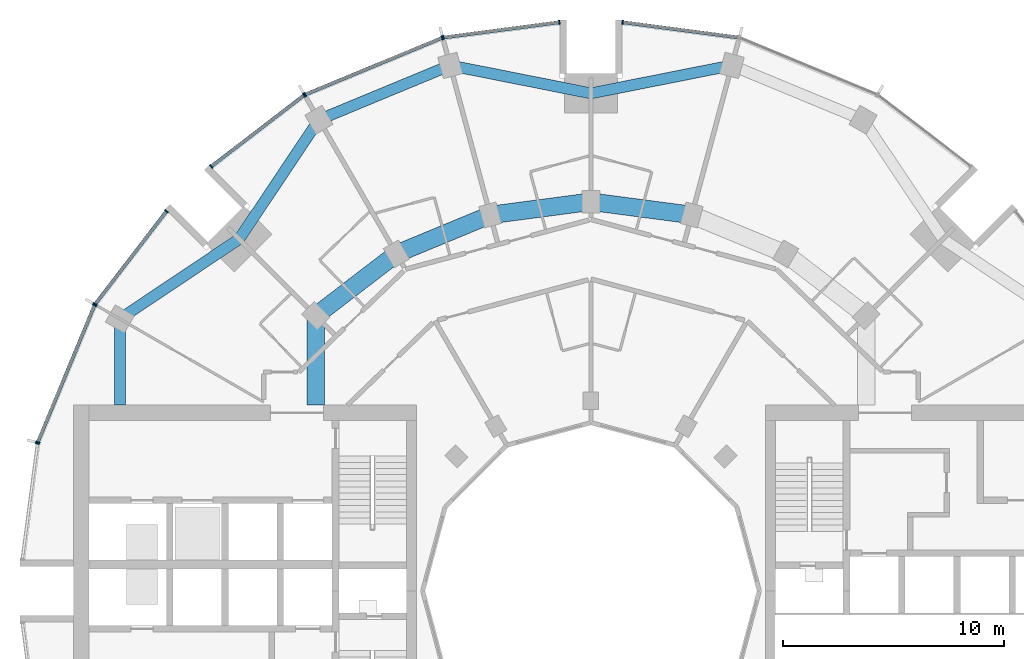
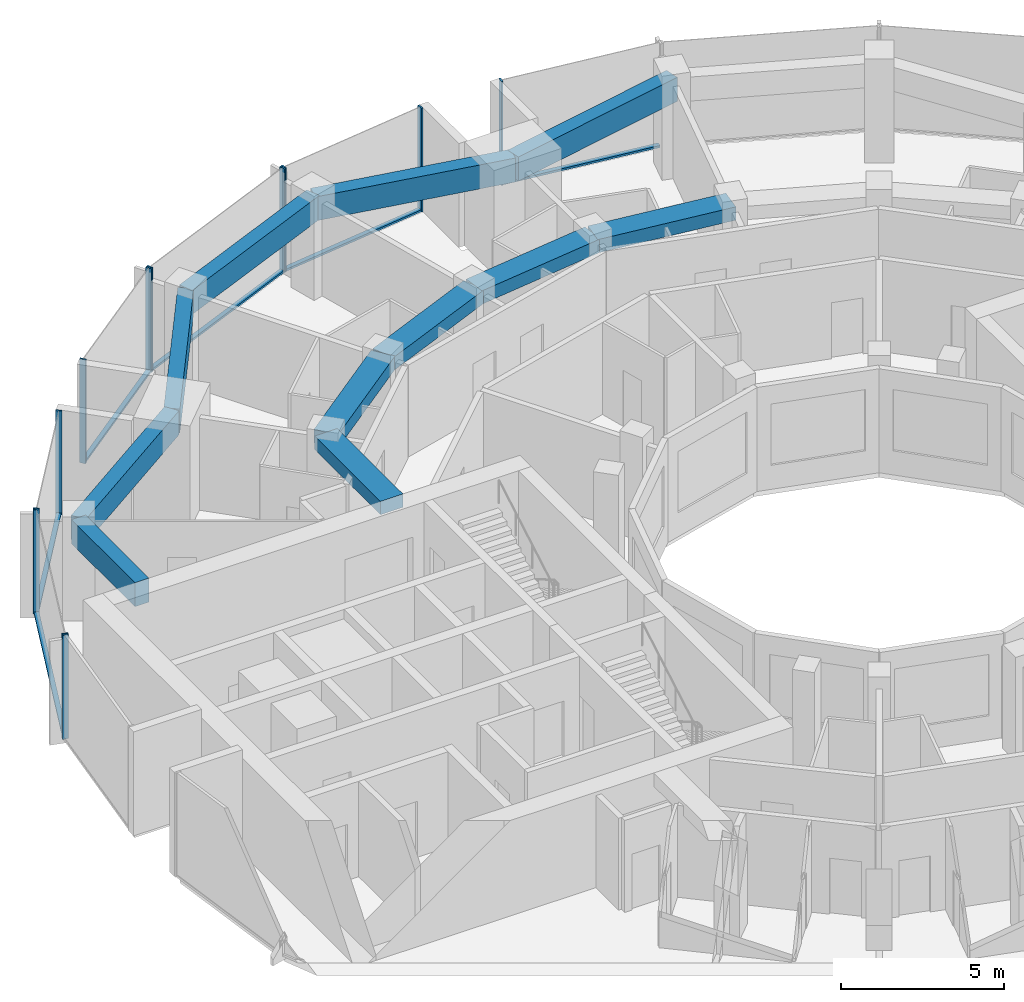
# One storey, part 5 of 15: 18 members, 11 beams, 7 elements without a shape of their own.
"""IFC4 building model written with IfcOpenShell, lengths in metres."""

from ifc_helpers import new_model, si_unit, direction, frame, origin, origin_2d, place, context, subcontext, project, spatial, rectangle, extrude, material, layer, layer_set, material_profile, profile_set, type_object, element, aggregate, save


model = new_model("IFC4")

# Units and contexts
model_context = context("Model", 3, precision=1e-05, world=origin(), true_north=direction((0.0, 1.0)))
body_context = subcontext(model_context, "Body", "Model", "MODEL_VIEW")
ifc_project = project(units=[si_unit("LENGTHUNIT", "METRE"), si_unit("AREAUNIT", "SQUARE_METRE"), si_unit("VOLUMEUNIT", "CUBIC_METRE"), si_unit("PLANEANGLEUNIT", "RADIAN"), si_unit("MASSUNIT", "GRAM", prefix="KILO")], contexts=[model_context])

# Site, building, storey
site_placement = place(None, origin())
site = spatial("IfcSite", under=ifc_project, at=site_placement, CompositionType="ELEMENT")
building_placement = place(site_placement, origin())
building = spatial("IfcBuilding", under=site, at=building_placement, Name="Torre Brocal", CompositionType="ELEMENT")
storey_placement = place(building_placement, frame((0.0, 0.0, 138.0)))
storey = spatial("IfcBuildingStorey", under=building, at=storey_placement, Name="L32", CompositionType="ELEMENT", Elevation=138.0)

# Curtain wall, member
ifc_material_1 = material(Name="Aluminium and glass", Category="aluminium")
ifc_layer_1 = layer(ifc_material_1, 0.199951171875)
ifc_layer_set_1 = layer_set([ifc_layer_1], Name="Aluminium and glass")
curtain_wall_type_1 = type_object("IfcCurtainWallType", Name="CW-1 CURTAIN WALL 3900 HIGH", PredefinedType="NOTDEFINED", material=ifc_layer_set_1)
curtain_wall_1_placement = place(storey_placement, origin())
curtain_wall_1 = element("IfcCurtainWall", 1, at=curtain_wall_1_placement, inside=storey, type_object=curtain_wall_type_1, Name="CW-1 RUN 6", PredefinedType="NOTDEFINED")
ifc_material_2 = material(Name="Aluminium, dark anodised", Category="aluminium")
ifc_material_profile_1 = material_profile(ifc_material_2, rectangle(XDim=0.199951171875, YDim=0.06005859375, at=origin_2d()), Name="CW-1 MULLION 60X200")
ifc_profile_set_1 = profile_set([ifc_material_profile_1], Name="Aluminium, dark anodised")
member_type_1 = type_object("IfcMemberType", Name="CW-1 MULLION 60X200", PredefinedType="MULLION", material=ifc_profile_set_1)
member_1_placement = place(storey_placement, frame((81.4296875, 100.7109375, 0.0), z_axis=(0.0, 0.0, 1.0), x_axis=(-0.13052619222, -0.991444861374, 0.0)))
member_1 = element("IfcMember", 2, at=member_1_placement, type_object=member_type_1, Name="CW1-3 mullion 2", PredefinedType="MULLION", context=body_context, shape_type="SweptSolid", body=[
    extrude(rectangle(XDim=0.199951171875, YDim=0.06005859375, at=origin_2d()), origin(), (0.0, 0.0, 1.0), 3.89990234375),
])

# Curtain wall, members
curtain_wall_2_placement = place(storey_placement, origin())
curtain_wall_2 = element("IfcCurtainWall", 3, at=curtain_wall_2_placement, inside=storey, type_object=curtain_wall_type_1, Name="CW-1 RUN 7", PredefinedType="NOTDEFINED")
member_2_placement = place(storey_placement, frame((78.5703125, 100.7109375, 0.0), z_axis=(0.0, 0.0, 1.0), x_axis=(0.13052619222, -0.991444861374, 0.0)))
member_2 = element("IfcMember", 4, at=member_2_placement, type_object=member_type_1, Name="CW1-3 mullion 1", PredefinedType="MULLION", context=body_context, shape_type="SweptSolid", body=[
    extrude(rectangle(XDim=0.199951171875, YDim=0.06005859375, at=origin_2d()), origin(), (0.0, 0.0, 1.0), 3.89990234375),
])
member_3_placement = place(storey_placement, frame((73.32666015625, 100.0205078125, 0.0), z_axis=(0.0, 0.0, 1.0), x_axis=(0.13052619222, -0.991444861374, 0.0)))
member_3 = element("IfcMember", 5, at=member_3_placement, type_object=member_type_1, Name="CW1-3 mullion 2", PredefinedType="MULLION", context=body_context, shape_type="SweptSolid", body=[
    extrude(rectangle(XDim=0.199951171875, YDim=0.06005859375, at=origin_2d()), origin(), (0.0, 0.0, 1.0), 3.89990234375),
])

curtain_wall_3_placement = place(storey_placement, origin())
curtain_wall_3 = element("IfcCurtainWall", 6, at=curtain_wall_3_placement, inside=storey, type_object=curtain_wall_type_1, Name="CW-1 RUN 8", PredefinedType="NOTDEFINED")
member_4_placement = place(storey_placement, frame((73.26904296875, 100.005126953125, 0.0), z_axis=(0.0, 0.0, 1.0), x_axis=(0.382683432333, -0.923879532525, 0.0)))
member_4 = element("IfcMember", 7, at=member_4_placement, type_object=member_type_1, Name="CW1-3 mullion 1", PredefinedType="MULLION", context=body_context, shape_type="SweptSolid", body=[
    extrude(rectangle(XDim=0.199951171875, YDim=0.06005859375, at=origin_2d()), origin(), (0.0, 0.0, 1.0), 3.89990234375),
])
member_5_placement = place(storey_placement, frame((67.078125, 97.440673828125, 0.0), z_axis=(0.0, 0.0, 1.0), x_axis=(0.382683432333, -0.923879532525, 0.0)))
member_5 = element("IfcMember", 8, at=member_5_placement, type_object=member_type_1, Name="CW1-3 mullion 2", PredefinedType="MULLION", context=body_context, shape_type="SweptSolid", body=[
    extrude(rectangle(XDim=0.199951171875, YDim=0.06005859375, at=origin_2d()), origin(), (0.0, 0.0, 1.0), 3.89990234375),
])

curtain_wall_4_placement = place(storey_placement, origin())
curtain_wall_4 = element("IfcCurtainWall", 9, at=curtain_wall_4_placement, inside=storey, type_object=curtain_wall_type_1, Name="CW-1 RUN 9", PredefinedType="NOTDEFINED")
member_6_placement = place(storey_placement, frame((67.026611328125, 97.4111328125, 0.0), z_axis=(0.0, 0.0, 1.0), x_axis=(0.60876142905, -0.793353340259, 0.0)))
member_6 = element("IfcMember", 10, at=member_6_placement, type_object=member_type_1, Name="CW1-3 mullion 1", PredefinedType="MULLION", context=body_context, shape_type="SweptSolid", body=[
    extrude(rectangle(XDim=0.199951171875, YDim=0.06005859375, at=origin_2d()), origin(), (0.0, 0.0, 1.0), 3.89990234375),
])
member_7_placement = place(storey_placement, frame((62.83056640625, 94.19140625, 0.0), z_axis=(0.0, 0.0, 1.0), x_axis=(0.60876142905, -0.793353340259, 0.0)))
member_7 = element("IfcMember", 11, at=member_7_placement, type_object=member_type_1, Name="CW1-3 mullion 2", PredefinedType="MULLION", context=body_context, shape_type="SweptSolid", body=[
    extrude(rectangle(XDim=0.199951171875, YDim=0.06005859375, at=origin_2d()), origin(), (0.0, 0.0, 1.0), 3.89990234375),
])

curtain_wall_5_placement = place(storey_placement, origin())
curtain_wall_5 = element("IfcCurtainWall", 12, at=curtain_wall_5_placement, inside=storey, type_object=curtain_wall_type_1, Name="CW-1 RUN 10", PredefinedType="NOTDEFINED")
member_8_placement = place(storey_placement, frame((60.80859375, 92.16943359375, 0.0), z_axis=(0.0, 0.0, 1.0), x_axis=(0.793353340259, -0.60876142905, 0.0)))
member_8 = element("IfcMember", 13, at=member_8_placement, type_object=member_type_1, Name="CW1-3 mullion 1", PredefinedType="MULLION", context=body_context, shape_type="SweptSolid", body=[
    extrude(rectangle(XDim=0.199951171875, YDim=0.06005859375, at=origin_2d()), origin(), (0.0, 0.0, 1.0), 3.89990234375),
])
member_9_placement = place(storey_placement, frame((57.5888671875, 87.973388671875, 0.0), z_axis=(0.0, 0.0, 1.0), x_axis=(0.793353340259, -0.60876142905, 0.0)))
member_9 = element("IfcMember", 14, at=member_9_placement, type_object=member_type_1, Name="CW1-3 mullion 2", PredefinedType="MULLION", context=body_context, shape_type="SweptSolid", body=[
    extrude(rectangle(XDim=0.199951171875, YDim=0.06005859375, at=origin_2d()), origin(), (0.0, 0.0, 1.0), 3.89990234375),
])

curtain_wall_6_placement = place(storey_placement, origin())
curtain_wall_6 = element("IfcCurtainWall", 15, at=curtain_wall_6_placement, inside=storey, type_object=curtain_wall_type_1, Name="CW-1 RUN 11", PredefinedType="NOTDEFINED")
member_10_placement = place(storey_placement, frame((57.559326171875, 87.921875, 0.0), z_axis=(0.0, 0.0, 1.0), x_axis=(0.923879532525, -0.382683432333, 0.0)))
member_10 = element("IfcMember", 16, at=member_10_placement, type_object=member_type_1, Name="CW1-3 mullion 1", PredefinedType="MULLION", context=body_context, shape_type="SweptSolid", body=[
    extrude(rectangle(XDim=0.199951171875, YDim=0.06005859375, at=origin_2d()), origin(), (0.0, 0.0, 1.0), 3.89990234375),
])
member_11_placement = place(storey_placement, frame((54.994873046875, 81.73095703125, 0.0), z_axis=(0.0, 0.0, 1.0), x_axis=(0.923879532525, -0.382683432333, 0.0)))
member_11 = element("IfcMember", 17, at=member_11_placement, type_object=member_type_1, Name="CW1-3 mullion 2", PredefinedType="MULLION", context=body_context, shape_type="SweptSolid", body=[
    extrude(rectangle(XDim=0.199951171875, YDim=0.06005859375, at=origin_2d()), origin(), (0.0, 0.0, 1.0), 3.89990234375),
])

# Member
ifc_material_3 = material(Name="Aluminium, dark anodised", Category="aluminium")
ifc_material_profile_2 = material_profile(ifc_material_3, rectangle(XDim=0.159912109375, YDim=0.080078125, at=origin_2d()), Name="CW-1 TRANSOM 160X80")
ifc_profile_set_2 = profile_set([ifc_material_profile_2], Name="Aluminium, dark anodised")
member_type_2 = type_object("IfcMemberType", Name="CW-1 TRANSOM 160X80", PredefinedType="USERDEFINED", material=ifc_profile_set_2)
member_12_placement = place(storey_placement, frame((86.643798828125, 100.0244140625, 0.0400390625), z_axis=(-0.991442690863, 0.130542677827, 0.0), x_axis=(-0.130542677827, -0.991442690863, 0.0)))
member_12 = element("IfcMember", 18, at=member_12_placement, type_object=member_type_2, Name="CW1-3 transom 1.1", ObjectType="TRANSOM", PredefinedType="USERDEFINED", context=body_context, shape_type="SweptSolid", body=[
    extrude(rectangle(XDim=0.159912109375, YDim=0.080078125, at=origin_2d()), origin(), (0.0, 0.0, 1.0), 5.22900390625),
])

aggregate(curtain_wall_1, [member_1, member_12])

member_13_placement = place(storey_placement, frame((78.54052734375, 100.70703125, 0.0400390625), z_axis=(-0.991442690863, -0.130542677827, 0.0), x_axis=(0.130542677827, -0.991442690863, 0.0)))
member_13 = element("IfcMember", 19, at=member_13_placement, type_object=member_type_2, Name="CW1-3 transom 1.1", ObjectType="TRANSOM", PredefinedType="USERDEFINED", context=body_context, shape_type="SweptSolid", body=[
    extrude(rectangle(XDim=0.159912109375, YDim=0.080078125, at=origin_2d()), origin(), (0.0, 0.0, 1.0), 5.22900390625),
])

aggregate(curtain_wall_2, [member_2, member_3, member_13])

member_14_placement = place(storey_placement, frame((73.241455078125, 99.99365234375, 0.0400390625), z_axis=(-0.923887344364, -0.38266457234, 0.0), x_axis=(0.38266457234, -0.923887344364, 0.0)))
member_14 = element("IfcMember", 20, at=member_14_placement, type_object=member_type_2, Name="CW1-3 transom 1.1", ObjectType="TRANSOM", PredefinedType="USERDEFINED", context=body_context, shape_type="SweptSolid", body=[
    extrude(rectangle(XDim=0.159912109375, YDim=0.080078125, at=origin_2d()), origin(), (0.0, 0.0, 1.0), 6.640869140625),
])

aggregate(curtain_wall_3, [member_4, member_5, member_14])

member_15_placement = place(storey_placement, frame((67.0029296875, 97.392822265625, 0.0400390625), z_axis=(-0.79336281513, -0.60874908096, 0.0), x_axis=(0.60874908096, -0.79336281513, 0.0)))
member_15 = element("IfcMember", 21, at=member_15_placement, type_object=member_type_2, Name="CW1-3 transom 1.1", ObjectType="TRANSOM", PredefinedType="USERDEFINED", context=body_context, shape_type="SweptSolid", body=[
    extrude(rectangle(XDim=0.159912109375, YDim=0.080078125, at=origin_2d()), origin(), (0.0, 0.0, 1.0), 5.22900390625),
])

aggregate(curtain_wall_4, [member_6, member_7, member_15])

member_16_placement = place(storey_placement, frame((60.790283203125, 92.1455078125, 0.0400390625), z_axis=(-0.60874908096, -0.79336281513, 0.0), x_axis=(0.79336281513, -0.60874908096, 0.0)))
member_16 = element("IfcMember", 22, at=member_16_placement, type_object=member_type_2, Name="CW1-3 transom 1.1", ObjectType="TRANSOM", PredefinedType="USERDEFINED", context=body_context, shape_type="SweptSolid", body=[
    extrude(rectangle(XDim=0.159912109375, YDim=0.080078125, at=origin_2d()), origin(), (0.0, 0.0, 1.0), 5.22900390625),
])

aggregate(curtain_wall_5, [member_8, member_9, member_16])

member_17_placement = place(storey_placement, frame((57.547607421875, 87.89404296875, 0.0400390625), z_axis=(-0.38266457234, -0.923887344364, 0.0), x_axis=(0.923887344364, -0.38266457234, 0.0)))
member_17 = element("IfcMember", 23, at=member_17_placement, type_object=member_type_2, Name="CW1-3 transom 1.1", ObjectType="TRANSOM", PredefinedType="USERDEFINED", context=body_context, shape_type="SweptSolid", body=[
    extrude(rectangle(XDim=0.159912109375, YDim=0.080078125, at=origin_2d()), origin(), (0.0, 0.0, 1.0), 6.640869140625),
])

aggregate(curtain_wall_6, [member_10, member_11, member_17])

# Curtain wall, member
ifc_material_4 = material(Name="Aluminium and glass", Category="aluminium")
ifc_layer_2 = layer(ifc_material_4, 0.199951171875)
ifc_layer_set_2 = layer_set([ifc_layer_2], Name="Aluminium and glass")
curtain_wall_type_2 = type_object("IfcCurtainWallType", Name="CW-1B CURTAIN WALL 3900 HIGH", PredefinedType="NOTDEFINED", material=ifc_layer_set_2)
curtain_wall_7_placement = place(storey_placement, origin())
curtain_wall_7 = element("IfcCurtainWall", 24, at=curtain_wall_7_placement, inside=storey, type_object=curtain_wall_type_2, Name="CW-1B RUN 12", PredefinedType="NOTDEFINED")
ifc_material_5 = material(Name="Aluminium, dark anodised", Category="aluminium")
ifc_material_profile_3 = material_profile(ifc_material_5, rectangle(XDim=0.199951171875, YDim=0.06005859375, at=origin_2d()), Name="CW-1B MULLION 60X200")
ifc_profile_set_3 = profile_set([ifc_material_profile_3], Name="Aluminium, dark anodised")
member_type_3 = type_object("IfcMemberType", Name="CW-1B MULLION 60X200", PredefinedType="MULLION", material=ifc_profile_set_3)
member_18_placement = place(storey_placement, frame((54.9794921875, 81.67333984375, 0.0), z_axis=(0.0, 0.0, 1.0), x_axis=(0.991444861374, -0.13052619222, 0.0)))
member_18 = element("IfcMember", 25, at=member_18_placement, type_object=member_type_3, Name="CW1B-3 mullion 1", PredefinedType="MULLION", context=body_context, shape_type="SweptSolid", body=[
    extrude(rectangle(XDim=0.199951171875, YDim=0.06005859375, at=origin_2d()), origin(), (0.0, 0.0, 1.0), 3.89990234375),
])
aggregate(curtain_wall_7, [member_18])

# Beams
ifc_material_6 = material(Name="Concrete C50", Category="concrete")
ifc_material_profile_4 = material_profile(ifc_material_6, rectangle(XDim=0.800048828125, YDim=0.5, at=origin_2d()), Name="RC 800X500")
ifc_profile_set_4 = profile_set([ifc_material_profile_4], Name="Concrete C50")
beam_type_1 = type_object("IfcBeamType", Name="RC BEAM 800X500 C50 TOP 3580", PredefinedType="BEAM", material=ifc_profile_set_4)
for number, where, z_axis, x_axis, name in (
    (26, (84.55517578125, 92.000244140625, 3.330078125), (-0.991440544449, 0.130558978332, 0.0), (-0.130558978332, -0.991440544449, 0.0), "Beam BT-28"),
    (27, (80.0, 92.60009765625, 3.330078125), (-0.991440544449, -0.130558978332, 0.0), (0.130558978332, -0.991440544449, 0.0), "Beam BT-28"),
):
    element("IfcBeam", number, at=place(storey_placement, frame(where, z_axis=z_axis, x_axis=x_axis)), inside=storey, type_object=beam_type_1, Name=name, PredefinedType="BEAM", context=body_context, shape_type="SweptSolid", body=[
        extrude(rectangle(XDim=0.800048828125, YDim=0.5, at=origin_2d()), origin(), (0.0, 0.0, 1.0), 4.594482421875),
    ])
beam_1_placement = place(storey_placement, frame((75.44482421875, 92.000244140625, 3.330078125), z_axis=(-0.923878240166, -0.382686552348, 0.0), x_axis=(0.382686552348, -0.923878240166, 0.0)))
element("IfcBeam", 28, at=beam_1_placement, inside=storey, type_object=beam_type_1, Name="Beam BT-28", PredefinedType="BEAM", context=body_context, shape_type="SweptSolid", body=[
    extrude(rectangle(XDim=0.800048828125, YDim=0.5, at=origin_2d()), origin(), (0.0, 0.0, 1.0), 4.5947265625),
])
beam_2_placement = place(storey_placement, frame((71.199951171875, 90.241943359375, 3.330078125), z_axis=(-0.793358265959, -0.6087550097, 0.0), x_axis=(0.6087550097, -0.793358265959, 0.0)))
element("IfcBeam", 29, at=beam_2_placement, inside=storey, type_object=beam_type_1, Name="Beam BT-28", PredefinedType="BEAM", context=body_context, shape_type="SweptSolid", body=[
    extrude(rectangle(XDim=0.800048828125, YDim=0.5, at=origin_2d()), origin(), (0.0, 0.0, 1.0), 4.594482421875),
])
beam_3_placement = place(storey_placement, frame((67.554931640625, 87.445068359375, 3.330078125), z_axis=(0.0, -1.0, 0.0), x_axis=(1.0, 0.0, 0.0)))
element("IfcBeam", 30, at=beam_3_placement, inside=storey, type_object=beam_type_1, Name="Beam BT-28", PredefinedType="BEAM", context=body_context, shape_type="SweptSolid", body=[
    extrude(rectangle(XDim=0.800048828125, YDim=0.5, at=origin_2d()), origin(), (0.0, 0.0, 1.0), 4.045166015625),
])
ifc_material_7 = material(Name="Concrete C50", Category="concrete")
ifc_material_profile_5 = material_profile(ifc_material_7, rectangle(XDim=0.5, YDim=0.89990234375, at=origin_2d()), Name="RC 500X900")
ifc_profile_set_5 = profile_set([ifc_material_profile_5], Name="Concrete C50")
beam_type_2 = type_object("IfcBeamType", Name="RC SPANDREL BEAM 500X900 C50 TOP 3580", PredefinedType="SPANDREL", material=ifc_profile_set_5)
for number, where, z_axis, x_axis, name in (
    (31, (86.366943359375, 98.76171875, 3.1298828125), (-0.980924907484, -0.194387051723, 0.0), (0.194387051723, -0.980924907484, 0.0), "Beam BT-29"),
    (32, (80.0, 97.5, 3.1298828125), (-0.980924907484, 0.194387051723, 0.0), (-0.194387051723, -0.980924907484, 0.0), "Beam BT-29"),
):
    element("IfcBeam", number, at=place(storey_placement, frame(where, z_axis=z_axis, x_axis=x_axis)), inside=storey, type_object=beam_type_2, Name=name, PredefinedType="SPANDREL", context=body_context, shape_type="SweptSolid", body=[
        extrude(rectangle(XDim=0.5, YDim=0.89990234375, at=origin_2d()), origin(), (0.0, 0.0, 1.0), 6.49072265625),
    ])
beam_4_placement = place(storey_placement, frame((73.633056640625, 98.76171875, 3.1298828125), z_axis=(-0.923882462513, -0.382676358639, 0.0), x_axis=(0.382676358639, -0.923882462513, 0.0)))
element("IfcBeam", 33, at=beam_4_placement, inside=storey, type_object=beam_type_2, Name="Beam BT-29", PredefinedType="SPANDREL", context=body_context, shape_type="SweptSolid", body=[
    extrude(rectangle(XDim=0.5, YDim=0.89990234375, at=origin_2d()), origin(), (0.0, 0.0, 1.0), 6.421875),
])
for number, where, z_axis, x_axis, name in (
    (34, (67.699951171875, 96.30419921875, 3.1298828125), (-0.556157602282, -0.831076844476, 0.0), (0.831076844476, -0.556157602282, 0.0), "Beam BT-29"),
    (35, (64.090087890625, 90.909912109375, 3.1298828125), (-0.831076844476, -0.556157602282, 0.0), (0.556157602282, -0.831076844476, 0.0), "Beam BT-29"),
):
    element("IfcBeam", number, at=place(storey_placement, frame(where, z_axis=z_axis, x_axis=x_axis)), inside=storey, type_object=beam_type_2, Name=name, PredefinedType="SPANDREL", context=body_context, shape_type="SweptSolid", body=[
        extrude(rectangle(XDim=0.5, YDim=0.89990234375, at=origin_2d()), origin(), (0.0, 0.0, 1.0), 6.49072265625),
    ])
beam_5_placement = place(storey_placement, frame((58.69580078125, 87.300048828125, 3.1298828125), z_axis=(0.0, -1.0, 0.0), x_axis=(1.0, 0.0, 0.0)))
element("IfcBeam", 36, at=beam_5_placement, inside=storey, type_object=beam_type_2, Name="Beam BT-29", PredefinedType="SPANDREL", context=body_context, shape_type="SweptSolid", body=[
    extrude(rectangle(XDim=0.5, YDim=0.89990234375, at=origin_2d()), origin(), (0.0, 0.0, 1.0), 3.900146484375),
])

save(model, "model.ifc")
